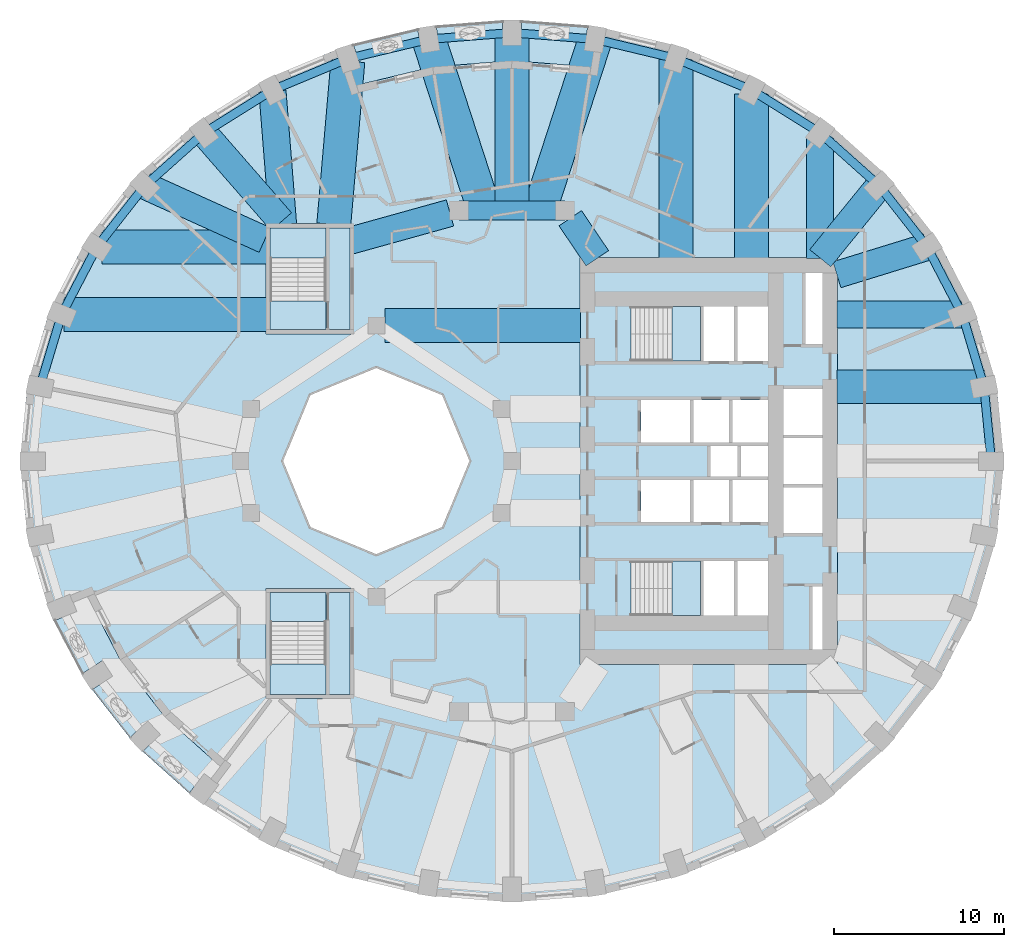
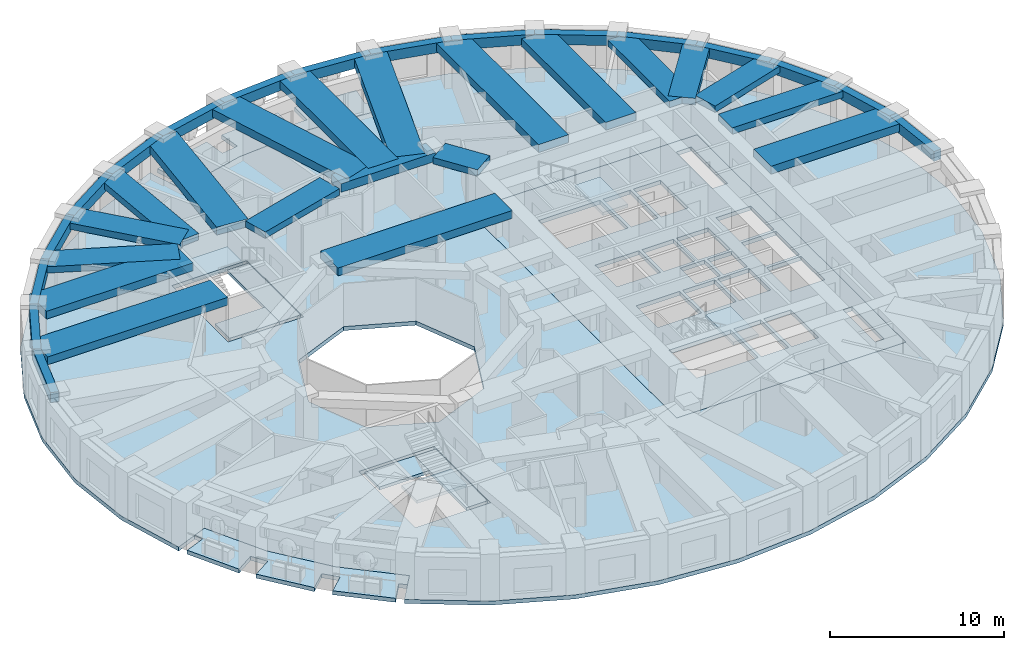
# One storey, part 2 of 13: 37 beams, 12 slabs, 4 elements without a shape of their own.
"""IFC4 building model written with IfcOpenShell, lengths in metres."""

import ifcopenshell
import ifcopenshell.guid

model = None  # the IFC model being written
_history = None  # IfcOwnerHistory: only IFC2X3 demands one
_inside = {}  # id of a spatial element -> (the spatial element, [elements in it])
_under = {}  # id of a project, library or spatial element -> (it, [spatial elements below it])
_declared = {}  # id of a project -> (the project, [libraries it declares])
_typed = {}  # id of a type object -> (the type object, [elements of that type])
_made_of = {}  # id of a material, layer set ... -> (it, [elements and type objects made of it])


def new_model(schema):
    """Start an empty IFC model of exactly this schema.

    Asked for "IFC4X3", IfcOpenShell would pick the latest addendum, in which some entities
    have other attributes; the version numbers below select the first issue.
    IFC2X3 requires an IfcOwnerHistory on every rooted entity: one is made here for all.
    """
    global model, _history
    if schema == "IFC4X3":
        model = ifcopenshell.file(schema_version=(4, 3, 0, 0))
    else:
        model = ifcopenshell.file(schema=schema)
    _inside.clear()
    _under.clear()
    _declared.clear()
    _typed.clear()
    _made_of.clear()
    _history = None
    if model.schema == "IFC2X3":
        org = make("IfcOrganization", Name="unknown")
        user = make(
            "IfcPersonAndOrganization",
            ThePerson=make("IfcPerson", FamilyName="unknown"),
            TheOrganization=org,
        )
        app = make(
            "IfcApplication",
            ApplicationDeveloper=org,
            Version="unknown",
            ApplicationFullName="unknown",
            ApplicationIdentifier="unknown",
        )
        _history = make(
            "IfcOwnerHistory",
            OwningUser=user,
            OwningApplication=app,
            ChangeAction="ADDED",
            CreationDate=0,
        )
    return model


def make(cls, **values):
    """One entity of the class cls with the attributes given. An attribute that is None is left unset."""
    return model.create_entity(
        cls, **{name: value for name, value in values.items() if value is not None}
    )


def rooted(cls, **values):
    """An entity with a GlobalId (a new one), such as an element, a storey or a relation."""
    return make(cls, GlobalId=ifcopenshell.guid.new(), OwnerHistory=_history, **values)


def si_unit(unit_type, name, prefix=None):
    """IfcSIUnit, for example si_unit("LENGTHUNIT", "METRE", prefix="MILLI")."""
    return make("IfcSIUnit", UnitType=unit_type, Prefix=prefix, Name=name)


def assignment(units):
    """IfcUnitAssignment: the units of a project."""
    return None if units is None else make("IfcUnitAssignment", Units=units)


def point(xyz):
    """IfcCartesianPoint."""
    return None if xyz is None else make("IfcCartesianPoint", Coordinates=xyz)


def direction(xyz):
    """IfcDirection."""
    return None if xyz is None else make("IfcDirection", DirectionRatios=xyz)


def frame(location, z_axis=None, x_axis=None):
    """IfcAxis2Placement3D, a coordinate frame: its origin and axes. An axis left out is left unset."""
    return make(
        "IfcAxis2Placement3D",
        Location=point(location),
        Axis=direction(z_axis),
        RefDirection=direction(x_axis),
    )


def frame_2d(location, x_axis=None):
    """IfcAxis2Placement2D, a coordinate frame in the plane: its origin and x axis."""
    return make(
        "IfcAxis2Placement2D", Location=point(location), RefDirection=direction(x_axis)
    )


def origin():
    """The frame at (0, 0, 0) with its axes left unset."""
    return frame((0.0, 0.0, 0.0))


def origin_2d():
    """The frame at (0, 0) in the plane with its x axis left unset."""
    return frame_2d((0.0, 0.0))


def place(relative_to, where):
    """IfcLocalPlacement: puts the frame where relative to a parent placement (None: the world)."""
    return make(
        "IfcLocalPlacement", PlacementRelTo=relative_to, RelativePlacement=where
    )


def context(
    kind, dimensions, precision=None, world=None, true_north=None, identifier=None
):
    """IfcGeometricRepresentationContext, for example the 3D "Model" context."""
    return make(
        "IfcGeometricRepresentationContext",
        ContextIdentifier=identifier,
        ContextType=kind,
        CoordinateSpaceDimension=dimensions,
        Precision=precision,
        WorldCoordinateSystem=world,
        TrueNorth=true_north,
    )


def subcontext(parent, identifier, kind, view, scale=None):
    """IfcGeometricRepresentationSubContext, for example "Body" below "Model"."""
    return make(
        "IfcGeometricRepresentationSubContext",
        ContextIdentifier=identifier,
        ContextType=kind,
        ParentContext=parent,
        TargetScale=scale,
        TargetView=view,
    )


def project(units=None, contexts=None):
    """IfcProject with its units and contexts."""
    return rooted(
        "IfcProject",
        Name="project",
        RepresentationContexts=contexts,
        UnitsInContext=assignment(units),
    )


def spatial(cls, under=None, at=None, **own):
    """A site, building, storey or space (cls), placed at a placement, below another one or the project."""
    s = rooted(cls, ObjectPlacement=at, **own)
    if under is not None:
        _under.setdefault(under.id(), (under, []))[1].append(s)
    return s


def polyline(points):
    """IfcPolyline through the points."""
    return make("IfcPolyline", Points=[point(p) for p in points])


def profile(cls, at=None, kind="AREA", **sizes):
    """A parametric profile (cls). Its sizes go by their IFC names, for example OverallWidth=200.0."""
    return make(cls, ProfileType=kind, Position=at, **sizes)


def rectangle(**sizes):
    """IfcRectangleProfileDef."""
    return profile("IfcRectangleProfileDef", **sizes)


def outline(outer, holes=None, kind="AREA"):
    """IfcArbitraryClosedProfileDef: a profile drawn as a closed curve; with holes, ...WithVoids."""
    if holes is None:
        return make("IfcArbitraryClosedProfileDef", ProfileType=kind, OuterCurve=outer)
    return make(
        "IfcArbitraryProfileDefWithVoids",
        ProfileType=kind,
        OuterCurve=outer,
        InnerCurves=holes,
    )


def extrude(swept, where, along, depth):
    """IfcExtrudedAreaSolid: the profile swept, set in the frame where, extruded along a direction by depth."""
    return make(
        "IfcExtrudedAreaSolid",
        SweptArea=swept,
        Position=where,
        ExtrudedDirection=direction(along),
        Depth=depth,
    )


def shape(context_of_items, identifier, shape_type, items):
    """IfcShapeRepresentation: the items that make up one representation, for example the "Body"."""
    return make(
        "IfcShapeRepresentation",
        ContextOfItems=context_of_items,
        RepresentationIdentifier=identifier,
        RepresentationType=shape_type,
        Items=items,
    )


def material(Name=None, Category=None):
    """IfcMaterial."""
    return make("IfcMaterial", Name=Name, Category=Category)


def layer(
    of_material, thickness, ventilated=None, Name=None, Category=None, Priority=None
):
    """IfcMaterialLayer: one layer of a wall or slab, of a material (None: an air gap)."""
    return make(
        "IfcMaterialLayer",
        Material=of_material,
        LayerThickness=thickness,
        IsVentilated=ventilated,
        Name=Name,
        Category=Category,
        Priority=Priority,
    )


def layer_set(layers, Name=None):
    """IfcMaterialLayerSet."""
    return make("IfcMaterialLayerSet", MaterialLayers=layers, LayerSetName=Name)


def material_profile(
    of_material, cross_section, Name=None, Category=None, Priority=None
):
    """IfcMaterialProfile: a cross section and its material."""
    return make(
        "IfcMaterialProfile",
        Name=Name,
        Material=of_material,
        Profile=cross_section,
        Priority=Priority,
        Category=Category,
    )


def profile_set(profiles, Name=None, composite=None):
    """IfcMaterialProfileSet."""
    return make(
        "IfcMaterialProfileSet",
        Name=Name,
        MaterialProfiles=profiles,
        CompositeProfile=composite,
    )


def made_of(thing, what):
    """Note that an element or type object is made of a material, layer set ...; save() writes the relation."""
    if what is not None:
        _made_of.setdefault(what.id(), (what, []))[1].append(thing)
    return thing


def type_object(cls, material=None, **own):
    """A type object (cls), such as IfcWallType, which elements share."""
    return made_of(rooted(cls, **own), material)


def element(
    cls,
    number,
    at=None,
    inside=None,
    cuts=None,
    type_object=None,
    material=None,
    context=None,
    identifier="Body",
    shape_type=None,
    held_by="IfcProductDefinitionShape",
    body=None,
    shapes=None,
    **own,
):
    """One element of the class cls, such as IfcWall. Its Tag is "e" and its number.

    at: its placement. inside: the storey or other place that contains it. cuts: it is an
    opening in that element (IfcRelVoidsElement). A single representation is given by context,
    identifier, shape_type and body (its items); several are given by shapes. held_by: the class
    of the entity that holds the representations. save() writes the other relations.
    """
    e = rooted(cls, Tag="e%d" % number, ObjectPlacement=at, **own)
    if body is not None:
        shapes = [shape(context, identifier, shape_type, body)]
    if shapes is not None:
        e.Representation = make(held_by, Representations=shapes)
    if inside is not None:
        _inside.setdefault(inside.id(), (inside, []))[1].append(e)
    if cuts is not None:
        rooted(
            "IfcRelVoidsElement", RelatingBuildingElement=cuts, RelatedOpeningElement=e
        )
    if type_object is not None:
        _typed.setdefault(type_object.id(), (type_object, []))[1].append(e)
    return made_of(e, material)


def aggregate(whole, parts):
    """IfcRelAggregates: a whole, such as a stair, and the parts it consists of."""
    return rooted("IfcRelAggregates", RelatingObject=whole, RelatedObjects=parts)


def save(model, path):
    """Write the relations noted so far, then the file.

    IfcRelAggregates (storeys below a building ...), IfcRelContainedInSpatialStructure (elements
    in a storey), IfcRelDefinesByType, IfcRelAssociatesMaterial and IfcRelDeclares: one each for
    every whole, place, type object, material and project.
    """
    for whole, parts in _under.values():
        aggregate(whole, parts)
    for where, things in _inside.values():
        rooted(
            "IfcRelContainedInSpatialStructure",
            RelatedElements=things,
            RelatingStructure=where,
        )
    for kind, things in _typed.values():
        rooted("IfcRelDefinesByType", RelatedObjects=things, RelatingType=kind)
    for what, things in _made_of.values():
        rooted("IfcRelAssociatesMaterial", RelatedObjects=things, RelatingMaterial=what)
    for by, libraries in _declared.values():
        rooted("IfcRelDeclares", RelatingContext=by, RelatedDefinitions=libraries)
    model.write(path)


model = new_model("IFC4")

# Units and contexts
model_context = context("Model", 3, precision=1e-05, world=origin(), true_north=direction((0.0, 1.0)))
body_context = subcontext(model_context, "Body", "Model", "MODEL_VIEW")
ifc_project = project(units=[si_unit("LENGTHUNIT", "METRE"), si_unit("AREAUNIT", "SQUARE_METRE"), si_unit("VOLUMEUNIT", "CUBIC_METRE"), si_unit("PLANEANGLEUNIT", "RADIAN"), si_unit("MASSUNIT", "GRAM", prefix="KILO")], contexts=[model_context])

# Site, building, storey
site_placement = place(None, origin())
site = spatial("IfcSite", under=ifc_project, at=site_placement, CompositionType="ELEMENT")
building_placement = place(site_placement, origin())
building = spatial("IfcBuilding", under=site, at=building_placement, Name="Taillehof Tower", CompositionType="ELEMENT")
storey_placement = place(building_placement, frame((0.0, 0.0, 54.699951171875)))
storey = spatial("IfcBuildingStorey", under=building, at=storey_placement, Name="L14", CompositionType="ELEMENT", Elevation=54.699951171875)

# Beams
ifc_material_1 = material(Name="Concrete C50/60", Category="concrete")
ifc_material_profile_1 = material_profile(ifc_material_1, rectangle(XDim=1.10009765625, YDim=0.60009765625, at=origin_2d()), Name="RC 1100x600")
ifc_profile_set_1 = profile_set([ifc_material_profile_1], Name="Concrete C50/60")
beam_type_1 = type_object("IfcBeamType", Name="Mid-ring beam C50/60 1100x600", PredefinedType="BEAM", material=ifc_profile_set_1)
beam_1_placement = place(storey_placement, frame((3.125732421875, 14.772216796875, 2.719970703125), z_axis=(-1.0, 0.0, 0.0), x_axis=(0.0, -1.0, 0.0)))
element("IfcBeam", 1, at=beam_1_placement, inside=storey, type_object=beam_type_1, Name="Mid-ring beam MB01", PredefinedType="BEAM", context=body_context, shape_type="SweptSolid", body=[
    extrude(rectangle(XDim=1.10009765625, YDim=0.60009765625, at=origin_2d()), origin(), (0.0, 0.0, 1.0), 6.25146484375),
])
ifc_material_2 = material(Name="Concrete C50/60", Category="concrete")
ifc_material_profile_2 = material_profile(ifc_material_2, rectangle(XDim=1.60009765625, YDim=0.449951171875, at=origin_2d()), Name="RC 1600x450")
ifc_profile_set_2 = profile_set([ifc_material_profile_2], Name="Concrete C50/60")
beam_type_2 = type_object("IfcBeamType", Name="Radial band beam C50/60 1600x450", PredefinedType="BEAM", material=ifc_profile_set_2)
beam_2_placement = place(storey_placement, frame((26.490478515625, 8.635986328125, 2.795166015625), z_axis=(-1.0, 0.0, 0.0), x_axis=(0.0, -1.0, 0.0)))
element("IfcBeam", 2, at=beam_2_placement, inside=storey, type_object=beam_type_2, Name="Radial band beam RB03", PredefinedType="BEAM", context=body_context, shape_type="SweptSolid", body=[
    extrude(rectangle(XDim=1.60009765625, YDim=0.449951171875, at=origin_2d()), origin(), (0.0, 0.0, 1.0), 7.340576171875),
])
beam_3_placement = place(storey_placement, frame((24.46533203125, 12.625, 2.795166015625), z_axis=(-0.955535654338, -0.294875589511, 0.0), x_axis=(0.294875589511, -0.955535654338, 0.0)))
element("IfcBeam", 3, at=beam_3_placement, inside=storey, type_object=beam_type_2, Name="Radial band beam RB04", PredefinedType="BEAM", context=body_context, shape_type="SweptSolid", body=[
    extrude(rectangle(XDim=1.60009765625, YDim=0.449951171875, at=origin_2d()), origin(), (0.0, 0.0, 1.0), 5.560546875),
])
beam_4_placement = place(storey_placement, frame((21.640869140625, 16.23046875, 2.795166015625), z_axis=(-0.630988373846, -0.775792286679, 0.0), x_axis=(0.775792286679, -0.630988373846, 0.0)))
element("IfcBeam", 4, at=beam_4_placement, inside=storey, type_object=beam_type_2, Name="Radial band beam RB05", PredefinedType="BEAM", context=body_context, shape_type="SweptSolid", body=[
    extrude(rectangle(XDim=1.60009765625, YDim=0.449951171875, at=origin_2d()), origin(), (0.0, 0.0, 1.0), 5.503173828125),
])
beam_5_placement = place(storey_placement, frame((18.15869140625, 19.05517578125, 2.795166015625), z_axis=(0.0, -1.0, 0.0), x_axis=(1.0, 0.0, 0.0)))
element("IfcBeam", 5, at=beam_5_placement, inside=storey, type_object=beam_type_2, Name="Radial band beam RB06", PredefinedType="BEAM", context=body_context, shape_type="SweptSolid", body=[
    extrude(rectangle(XDim=1.60009765625, YDim=0.449951171875, at=origin_2d()), origin(), (0.0, 0.0, 1.0), 7.105224609375),
])
beam_6_placement = place(storey_placement, frame((-14.119873046875, 21.802978515625, 2.795166015625), z_axis=(0.079184740988, -0.996859958467, 0.0), x_axis=(0.996859958467, 0.079184740988, 0.0)))
element("IfcBeam", 6, at=beam_6_placement, inside=storey, type_object=beam_type_2, Name="Radial band beam RB13", PredefinedType="BEAM", context=body_context, shape_type="SweptSolid", body=[
    extrude(rectangle(XDim=1.60009765625, YDim=0.449951171875, at=origin_2d()), origin(), (0.0, 0.0, 1.0), 7.87744140625),
])
beam_7_placement = place(storey_placement, frame((-18.15869140625, 19.342529296875, 2.795166015625), z_axis=(0.65721824087, -0.753700327628, 0.0), x_axis=(0.753700327628, 0.65721824087, 0.0)))
element("IfcBeam", 7, at=beam_7_placement, inside=storey, type_object=beam_type_2, Name="Radial band beam RB14", PredefinedType="BEAM", context=body_context, shape_type="SweptSolid", body=[
    extrude(rectangle(XDim=1.60009765625, YDim=0.449951171875, at=origin_2d()), origin(), (0.0, 0.0, 1.0), 6.9384765625),
])
beam_8_placement = place(storey_placement, frame((-21.632568359375, 16.226806640625, 2.795166015625), z_axis=(0.911100590789, -0.412184077161, 0.0), x_axis=(0.412184077161, 0.911100590789, 0.0)))
element("IfcBeam", 8, at=beam_8_placement, inside=storey, type_object=beam_type_2, Name="Radial band beam RB15", PredefinedType="BEAM", context=body_context, shape_type="SweptSolid", body=[
    extrude(rectangle(XDim=1.60009765625, YDim=0.449951171875, at=origin_2d()), origin(), (0.0, 0.0, 1.0), 7.740966796875),
])
beam_9_placement = place(storey_placement, frame((3.433837890625, 14.31640625, 2.795166015625), z_axis=(0.560112043398, -0.828416862962, 0.0), x_axis=(0.828416862962, 0.560112043398, 0.0)))
element("IfcBeam", 9, at=beam_9_placement, inside=storey, type_object=beam_type_2, Name="Inner band beam IB205", PredefinedType="BEAM", context=body_context, shape_type="SweptSolid", body=[
    extrude(rectangle(XDim=1.60009765625, YDim=0.449951171875, at=origin_2d()), origin(), (0.0, 0.0, 1.0), 2.84619140625),
])
beam_10_placement = place(storey_placement, frame((-3.655517578125, 14.624755859375, 2.795166015625), z_axis=(-0.963459369536, -0.267854518821, 0.0), x_axis=(0.267854518821, -0.963459369536, 0.0)))
element("IfcBeam", 10, at=beam_10_placement, inside=storey, type_object=beam_type_2, Name="Inner band beam IB206", PredefinedType="BEAM", context=body_context, shape_type="SweptSolid", body=[
    extrude(rectangle(XDim=1.60009765625, YDim=0.449951171875, at=origin_2d()), origin(), (0.0, 0.0, 1.0), 6.096923828125),
])
ifc_material_3 = material(Name="Concrete C50/60", Category="concrete")
ifc_material_profile_3 = material_profile(ifc_material_3, rectangle(XDim=2.0, YDim=0.550048828125, at=origin_2d()), Name="RC 2000x550")
ifc_profile_set_3 = profile_set([ifc_material_profile_3], Name="Concrete C50/60")
beam_type_3 = type_object("IfcBeamType", Name="Radial band beam C50/60 2000x550", PredefinedType="BEAM", material=ifc_profile_set_3)
beam_11_placement = place(storey_placement, frame((27.82080078125, 4.384521484375, 2.7451171875), z_axis=(-1.0, 0.0, 0.0), x_axis=(0.0, -1.0, 0.0)))
element("IfcBeam", 11, at=beam_11_placement, inside=storey, type_object=beam_type_3, Name="Radial band beam RB02", PredefinedType="BEAM", context=body_context, shape_type="SweptSolid", body=[
    extrude(rectangle(XDim=2.0, YDim=0.550048828125, at=origin_2d()), origin(), (0.0, 0.0, 1.0), 8.6708984375),
])
beam_12_placement = place(storey_placement, frame((14.125, 21.63232421875, 2.7451171875), z_axis=(0.0, -1.0, 0.0), x_axis=(1.0, 0.0, 0.0)))
element("IfcBeam", 12, at=beam_12_placement, inside=storey, type_object=beam_type_3, Name="Radial band beam RB07", PredefinedType="BEAM", context=body_context, shape_type="SweptSolid", body=[
    extrude(rectangle(XDim=2.0, YDim=0.550048828125, at=origin_2d()), origin(), (0.0, 0.0, 1.0), 9.682373046875),
])
beam_13_placement = place(storey_placement, frame((9.662109375, 23.664794921875, 2.7451171875), z_axis=(0.0, -1.0, 0.0), x_axis=(1.0, 0.0, 0.0)))
element("IfcBeam", 13, at=beam_13_placement, inside=storey, type_object=beam_type_3, Name="Radial band beam RB08", PredefinedType="BEAM", context=body_context, shape_type="SweptSolid", body=[
    extrude(rectangle(XDim=2.0, YDim=0.550048828125, at=origin_2d()), origin(), (0.0, 0.0, 1.0), 11.71484375),
])
beam_14_placement = place(storey_placement, frame((4.905517578125, 24.866455078125, 2.7451171875), z_axis=(-0.309014294595, -0.951057393503, 0.0), x_axis=(0.951057393503, -0.309014294595, 0.0)))
element("IfcBeam", 14, at=beam_14_placement, inside=storey, type_object=beam_type_3, Name="Radial band beam RB09", PredefinedType="BEAM", context=body_context, shape_type="SweptSolid", body=[
    extrude(rectangle(XDim=2.0, YDim=0.550048828125, at=origin_2d()), origin(), (0.0, 0.0, 1.0), 10.61376953125),
])
beam_15_placement = place(storey_placement, frame((0.0, 25.25, 2.7451171875), z_axis=(0.0, -1.0, 0.0), x_axis=(1.0, 0.0, 0.0)))
element("IfcBeam", 15, at=beam_15_placement, inside=storey, type_object=beam_type_3, Name="Radial band beam RB10", PredefinedType="BEAM", context=body_context, shape_type="SweptSolid", body=[
    extrude(rectangle(XDim=2.0, YDim=0.550048828125, at=origin_2d()), origin(), (0.0, 0.0, 1.0), 10.477783203125),
])
beam_16_placement = place(storey_placement, frame((-4.905517578125, 24.866455078125, 2.7451171875), z_axis=(0.309014294595, -0.951057393503, 0.0), x_axis=(0.951057393503, 0.309014294595, 0.0)))
element("IfcBeam", 16, at=beam_16_placement, inside=storey, type_object=beam_type_3, Name="Radial band beam RB11", PredefinedType="BEAM", context=body_context, shape_type="SweptSolid", body=[
    extrude(rectangle(XDim=2.0, YDim=0.550048828125, at=origin_2d()), origin(), (0.0, 0.0, 1.0), 10.61376953125),
])
beam_17_placement = place(storey_placement, frame((-9.675048828125, 23.575927734375, 2.7451171875), z_axis=(-0.085841202752, -0.996308831593, 0.0), x_axis=(0.996308831593, -0.085841202752, 0.0)))
element("IfcBeam", 17, at=beam_17_placement, inside=storey, type_object=beam_type_3, Name="Radial band beam RB12", PredefinedType="BEAM", context=body_context, shape_type="SweptSolid", body=[
    extrude(rectangle(XDim=2.0, YDim=0.550048828125, at=origin_2d()), origin(), (0.0, 0.0, 1.0), 9.661376953125),
])
beam_18_placement = place(storey_placement, frame((-24.172607421875, 12.625, 2.7451171875), z_axis=(1.0, 0.0, 0.0), x_axis=(0.0, 1.0, 0.0)))
element("IfcBeam", 18, at=beam_18_placement, inside=storey, type_object=beam_type_3, Name="Radial band beam RB16", PredefinedType="BEAM", context=body_context, shape_type="SweptSolid", body=[
    extrude(rectangle(XDim=2.0, YDim=0.550048828125, at=origin_2d()), origin(), (0.0, 0.0, 1.0), 9.72265625),
])
beam_19_placement = place(storey_placement, frame((-26.408935546875, 8.635986328125, 2.7451171875), z_axis=(1.0, 0.0, 0.0), x_axis=(0.0, 1.0, 0.0)))
element("IfcBeam", 19, at=beam_19_placement, inside=storey, type_object=beam_type_3, Name="Radial band beam RB17", PredefinedType="BEAM", context=body_context, shape_type="SweptSolid", body=[
    extrude(rectangle(XDim=2.0, YDim=0.550048828125, at=origin_2d()), origin(), (0.0, 0.0, 1.0), 11.958984375),
])
beam_20_placement = place(storey_placement, frame((-7.5, 8.0, 2.7451171875), z_axis=(1.0, 0.0, 0.0), x_axis=(0.0, 1.0, 0.0)))
element("IfcBeam", 20, at=beam_20_placement, inside=storey, type_object=beam_type_3, Name="Inner band beam IB105", PredefinedType="BEAM", context=body_context, shape_type="SweptSolid", body=[
    extrude(rectangle(XDim=2.0, YDim=0.550048828125, at=origin_2d()), origin(), (0.0, 0.0, 1.0), 11.550048828125),
])
ifc_material_4 = material(Name="Concrete C50/60", Category="concrete")
ifc_material_profile_4 = material_profile(ifc_material_4, rectangle(XDim=0.5, YDim=0.699951171875, at=origin_2d()), Name="RC 500x700")
ifc_profile_set_4 = profile_set([ifc_material_profile_4], Name="Concrete C50/60")
beam_type_4 = type_object("IfcBeamType", Name="Spandrel beam C50/60 500x700", PredefinedType="SPANDREL", material=ifc_profile_set_4)
beam_21_placement = place(storey_placement, frame((28.25, 0.0, 2.670166015625), z_axis=(-0.097423973567, 0.99524297002, 0.0), x_axis=(-0.99524297002, -0.097423973567, 0.0)))
element("IfcBeam", 21, at=beam_21_placement, inside=storey, type_object=beam_type_4, Name="Spandrel beam SB01", PredefinedType="SPANDREL", context=body_context, shape_type="SweptSolid", body=[
    extrude(rectangle(XDim=0.5, YDim=0.699951171875, at=origin_2d()), origin(), (0.0, 0.0, 1.0), 4.405517578125),
])
beam_22_placement = place(storey_placement, frame((27.82080078125, 4.384521484375, 2.670166015625), z_axis=(-0.287135925407, 0.957889847707, 0.0), x_axis=(-0.957889847707, -0.287135925407, 0.0)))
element("IfcBeam", 22, at=beam_22_placement, inside=storey, type_object=beam_type_4, Name="Spandrel beam SB02", PredefinedType="SPANDREL", context=body_context, shape_type="SweptSolid", body=[
    extrude(rectangle(XDim=0.5, YDim=0.699951171875, at=origin_2d()), origin(), (0.0, 0.0, 1.0), 4.4384765625),
])
beam_23_placement = place(storey_placement, frame((26.54638671875, 8.635986328125, 2.670166015625), z_axis=(-0.462536335232, 0.886600326297, 0.0), x_axis=(-0.886600326297, -0.462536335232, 0.0)))
element("IfcBeam", 23, at=beam_23_placement, inside=storey, type_object=beam_type_4, Name="Spandrel beam SB03", PredefinedType="SPANDREL", context=body_context, shape_type="SweptSolid", body=[
    extrude(rectangle(XDim=0.5, YDim=0.699951171875, at=origin_2d()), origin(), (0.0, 0.0, 1.0), 4.499267578125),
])
beam_24_placement = place(storey_placement, frame((24.46533203125, 12.625, 2.670166015625), z_axis=(-0.616686200373, 0.787209076593, 0.0), x_axis=(-0.787209076593, -0.616686200373, 0.0)))
element("IfcBeam", 24, at=beam_24_placement, inside=storey, type_object=beam_type_4, Name="Spandrel beam SB04", PredefinedType="SPANDREL", context=body_context, shape_type="SweptSolid", body=[
    extrude(rectangle(XDim=0.5, YDim=0.699951171875, at=origin_2d()), origin(), (0.0, 0.0, 1.0), 4.580078125),
])
beam_25_placement = place(storey_placement, frame((21.640869140625, 16.23046875, 2.670166015625), z_axis=(-0.745621283614, 0.666369943366, 0.0), x_axis=(-0.666369943366, -0.745621283614, 0.0)))
element("IfcBeam", 25, at=beam_25_placement, inside=storey, type_object=beam_type_4, Name="Spandrel beam SB05", PredefinedType="SPANDREL", context=body_context, shape_type="SweptSolid", body=[
    extrude(rectangle(XDim=0.5, YDim=0.699951171875, at=origin_2d()), origin(), (0.0, 0.0, 1.0), 4.670166015625),
])
beam_26_placement = place(storey_placement, frame((18.15869140625, 19.342529296875, 2.670166015625), z_axis=(-0.847658018883, 0.530543007703, 0.0), x_axis=(-0.530543007703, -0.847658018883, 0.0)))
element("IfcBeam", 26, at=beam_26_placement, inside=storey, type_object=beam_type_4, Name="Spandrel beam SB06", PredefinedType="SPANDREL", context=body_context, shape_type="SweptSolid", body=[
    extrude(rectangle(XDim=0.5, YDim=0.699951171875, at=origin_2d()), origin(), (0.0, 0.0, 1.0), 4.758544921875),
])
beam_27_placement = place(storey_placement, frame((14.125, 21.8671875, 2.670166015625), z_axis=(-0.923035088053, 0.384715773297, 0.0), x_axis=(-0.384715773297, -0.923035088053, 0.0)))
element("IfcBeam", 27, at=beam_27_placement, inside=storey, type_object=beam_type_4, Name="Spandrel beam SB07", PredefinedType="SPANDREL", context=body_context, shape_type="SweptSolid", body=[
    extrude(rectangle(XDim=0.5, YDim=0.699951171875, at=origin_2d()), origin(), (0.0, 0.0, 1.0), 4.8349609375),
])
beam_28_placement = place(storey_placement, frame((9.662109375, 23.727294921875, 2.670166015625), z_axis=(-0.9724995553, 0.232904733616, 0.0), x_axis=(-0.232904733616, -0.9724995553, 0.0)))
element("IfcBeam", 28, at=beam_28_placement, inside=storey, type_object=beam_type_4, Name="Spandrel beam SB08", PredefinedType="SPANDREL", context=body_context, shape_type="SweptSolid", body=[
    extrude(rectangle(XDim=0.5, YDim=0.699951171875, at=origin_2d()), origin(), (0.0, 0.0, 1.0), 4.89111328125),
])
for number, where, z_axis, x_axis, name in (
    (29, (4.905517578125, 24.866455078125, 2.670166015625), (-0.996957383661, 0.077948541767, 0.0), (-0.077948541767, -0.996957383661, 0.0), "Spandrel beam SB09"),
    (30, (0.0, 25.25, 2.670166015625), (-0.996957383661, -0.077948541767, 0.0), (0.077948541767, -0.996957383661, 0.0), "Spandrel beam SB10"),
):
    element("IfcBeam", number, at=place(storey_placement, frame(where, z_axis=z_axis, x_axis=x_axis)), inside=storey, type_object=beam_type_4, Name=name, PredefinedType="SPANDREL", context=body_context, shape_type="SweptSolid", body=[
        extrude(rectangle(XDim=0.5, YDim=0.699951171875, at=origin_2d()), origin(), (0.0, 0.0, 1.0), 4.92041015625),
    ])
beam_29_placement = place(storey_placement, frame((-4.905517578125, 24.866455078125, 2.670166015625), z_axis=(-0.9724995553, -0.232904733616, 0.0), x_axis=(0.232904733616, -0.9724995553, 0.0)))
element("IfcBeam", 31, at=beam_29_placement, inside=storey, type_object=beam_type_4, Name="Spandrel beam SB11", PredefinedType="SPANDREL", context=body_context, shape_type="SweptSolid", body=[
    extrude(rectangle(XDim=0.5, YDim=0.699951171875, at=origin_2d()), origin(), (0.0, 0.0, 1.0), 4.89111328125),
])
beam_30_placement = place(storey_placement, frame((-9.662109375, 23.727294921875, 2.670166015625), z_axis=(-0.923035088053, -0.384715773297, 0.0), x_axis=(0.384715773297, -0.923035088053, 0.0)))
element("IfcBeam", 32, at=beam_30_placement, inside=storey, type_object=beam_type_4, Name="Spandrel beam SB12", PredefinedType="SPANDREL", context=body_context, shape_type="SweptSolid", body=[
    extrude(rectangle(XDim=0.5, YDim=0.699951171875, at=origin_2d()), origin(), (0.0, 0.0, 1.0), 4.8349609375),
])
beam_31_placement = place(storey_placement, frame((-14.125, 21.8671875, 2.670166015625), z_axis=(-0.847658018883, -0.530543007703, 0.0), x_axis=(0.530543007703, -0.847658018883, 0.0)))
element("IfcBeam", 33, at=beam_31_placement, inside=storey, type_object=beam_type_4, Name="Spandrel beam SB13", PredefinedType="SPANDREL", context=body_context, shape_type="SweptSolid", body=[
    extrude(rectangle(XDim=0.5, YDim=0.699951171875, at=origin_2d()), origin(), (0.0, 0.0, 1.0), 4.758544921875),
])
beam_32_placement = place(storey_placement, frame((-18.15869140625, 19.342529296875, 2.670166015625), z_axis=(-0.745621283614, -0.666369943366, 0.0), x_axis=(0.666369943366, -0.745621283614, 0.0)))
element("IfcBeam", 34, at=beam_32_placement, inside=storey, type_object=beam_type_4, Name="Spandrel beam SB14", PredefinedType="SPANDREL", context=body_context, shape_type="SweptSolid", body=[
    extrude(rectangle(XDim=0.5, YDim=0.699951171875, at=origin_2d()), origin(), (0.0, 0.0, 1.0), 4.670166015625),
])
beam_33_placement = place(storey_placement, frame((-21.640869140625, 16.23046875, 2.670166015625), z_axis=(-0.616686200373, -0.787209076593, 0.0), x_axis=(0.787209076593, -0.616686200373, 0.0)))
element("IfcBeam", 35, at=beam_33_placement, inside=storey, type_object=beam_type_4, Name="Spandrel beam SB15", PredefinedType="SPANDREL", context=body_context, shape_type="SweptSolid", body=[
    extrude(rectangle(XDim=0.5, YDim=0.699951171875, at=origin_2d()), origin(), (0.0, 0.0, 1.0), 4.580078125),
])
beam_34_placement = place(storey_placement, frame((-24.46533203125, 12.625, 2.670166015625), z_axis=(-0.462536335232, -0.886600326297, 0.0), x_axis=(0.886600326297, -0.462536335232, 0.0)))
element("IfcBeam", 36, at=beam_34_placement, inside=storey, type_object=beam_type_4, Name="Spandrel beam SB16", PredefinedType="SPANDREL", context=body_context, shape_type="SweptSolid", body=[
    extrude(rectangle(XDim=0.5, YDim=0.699951171875, at=origin_2d()), origin(), (0.0, 0.0, 1.0), 4.499267578125),
])
beam_35_placement = place(storey_placement, frame((-26.54638671875, 8.635986328125, 2.670166015625), z_axis=(-0.287135925407, -0.957889847707, 0.0), x_axis=(0.957889847707, -0.287135925407, 0.0)))
element("IfcBeam", 37, at=beam_35_placement, inside=storey, type_object=beam_type_4, Name="Spandrel beam SB17", PredefinedType="SPANDREL", context=body_context, shape_type="SweptSolid", body=[
    extrude(rectangle(XDim=0.5, YDim=0.699951171875, at=origin_2d()), origin(), (0.0, 0.0, 1.0), 4.4384765625),
])

# Slabs
ifc_material_5 = material(Name="Concrete C40/50", Category="concrete")
ifc_layer_1 = layer(ifc_material_5, 0.280029296875)
ifc_layer_set_1 = layer_set([ifc_layer_1], Name="Balcony slab 280")
slab_type_1 = type_object("IfcSlabType", Name="Balcony slab 280", PredefinedType="USERDEFINED", material=ifc_layer_set_1)
slab_1_placement = place(storey_placement, frame((0.0, 0.0, -0.280029296875)))
element("IfcSlab", 38, at=slab_1_placement, inside=storey, type_object=slab_type_1, Name="Balcony L14 pocket 2", ObjectType="BALCONY", PredefinedType="USERDEFINED", context=body_context, shape_type="SweptSolid", body=[
    extrude(outline(polyline([(-9.174072265625, 22.150390625), (-9.453369140625, 23.00634765625), (-8.906494140625, 23.184814453125), (-9.357421875, 24.56689453125), (-5.559326171875, 25.479248046875), (-5.331787109375, 24.039794921875), (-4.2451171875, 24.21142578125), (-4.472412109375, 25.649169921875), (-0.550048828125, 25.956787109375), (-0.550048828125, 24.5), (0.550048828125, 24.5), (0.550048828125, 25.956787109375), (4.472412109375, 25.649169921875), (4.2451171875, 24.21142578125), (4.801513671875, 24.12353515625), (4.6611328125, 23.234375), (0.0, 23.60009765625), (-4.6611328125, 23.234375), (-9.174072265625, 22.150390625)])), origin(), (0.0, 0.0, 1.0), 0.280029296875),
])
slab_2_placement = place(storey_placement, frame((0.0, 0.0, -0.280029296875)))
element("IfcSlab", 39, at=slab_2_placement, inside=storey, type_object=slab_type_1, Name="Balcony L14 pocket 6", ObjectType="BALCONY", PredefinedType="USERDEFINED", context=body_context, shape_type="SweptSolid", body=[
    extrude(outline(polyline([(-17.197998046875, -17.999267578125), (-17.73974609375, -18.71923828125), (-18.1474609375, -18.41259765625), (-19.02197265625, -19.575439453125), (-21.77392578125, -17.108154296875), (-20.71728515625, -16.119384765625), (-21.468994140625, -15.31640625), (-22.530029296875, -16.309326171875), (-24.752197265625, -13.464111328125), (-23.536865234375, -12.681396484375), (-24.13232421875, -11.756591796875), (-25.352783203125, -12.54248046875), (-26.9833984375, -9.406982421875), (-25.64453125, -8.863525390625), (-25.86181640625, -8.328369140625), (-25.02734375, -7.98974609375), (-23.096923828125, -11.70068359375), (-20.463134765625, -15.072509765625), (-17.197998046875, -17.999267578125)])), origin(), (0.0, 0.0, 1.0), 0.280029296875),
])
ifc_material_6 = material(Name="Concrete C40/50", Category="concrete")
ifc_layer_2 = layer(ifc_material_6, 0.280029296875)
ifc_layer_set_2 = layer_set([ifc_layer_2], Name="Core floor slab C40/50 280")
slab_type_2 = type_object("IfcSlabType", Name="Core floor slab C40/50 280", PredefinedType="FLOOR", material=ifc_layer_set_2)
slab_3_placement = place(storey_placement, frame((0.0, 0.0, -0.280029296875)))
element("IfcSlab", 40, at=slab_3_placement, inside=storey, type_object=slab_type_2, Name="Core floor L14", PredefinedType="FLOOR", context=body_context, shape_type="SweptSolid", body=[
    extrude(outline(polyline([(4.0, -12.0), (4.0, 12.0), (19.199951171875, 12.0), (19.199951171875, -12.0), (4.0, -12.0)]), holes=[polyline([(7.00048828125, -9.10009765625), (11.10009765625, -9.10009765625), (11.10009765625, -5.89990234375), (7.00048828125, -5.89990234375), (7.00048828125, -9.10009765625)]), polyline([(13.10009765625, -9.10009765625), (13.10009765625, -5.89990234375), (11.300048828125, -5.89990234375), (11.300048828125, -9.10009765625), (13.10009765625, -9.10009765625)]), polyline([(10.5, -3.60009765625), (10.5, -1.10009765625), (7.60009765625, -1.10009765625), (7.60009765625, -3.60009765625), (10.5, -3.60009765625)]), polyline([(12.800048828125, -3.60009765625), (12.800048828125, -1.10009765625), (10.699951171875, -1.10009765625), (10.699951171875, -3.60009765625), (12.800048828125, -3.60009765625)]), polyline([(13.300048828125, -0.89990234375), (13.300048828125, 0.89990234375), (11.699951171875, 0.89990234375), (11.699951171875, -0.89990234375), (13.300048828125, -0.89990234375)]), polyline([(10.5, 1.10009765625), (10.5, 3.60009765625), (7.60009765625, 3.60009765625), (7.60009765625, 1.10009765625), (10.5, 1.10009765625)]), polyline([(12.800048828125, 1.10009765625), (12.800048828125, 3.60009765625), (10.699951171875, 3.60009765625), (10.699951171875, 1.10009765625), (12.800048828125, 1.10009765625)]), polyline([(13.0, 1.10009765625), (15.10009765625, 1.10009765625), (15.10009765625, 3.60009765625), (13.0, 3.60009765625), (13.0, 1.10009765625)]), polyline([(11.300048828125, 5.89990234375), (13.10009765625, 5.89990234375), (13.10009765625, 9.10009765625), (11.300048828125, 9.10009765625), (11.300048828125, 5.89990234375)]), polyline([(11.10009765625, 5.89990234375), (11.10009765625, 9.10009765625), (7.00048828125, 9.10009765625), (7.00048828125, 5.89990234375), (11.10009765625, 5.89990234375)]), polyline([(18.300048828125, -11.10009765625), (18.300048828125, -7.39990234375), (17.699951171875, -7.39990234375), (17.699951171875, -11.10009765625), (18.300048828125, -11.10009765625)]), polyline([(15.10009765625, -9.10009765625), (15.10009765625, -5.89990234375), (13.300048828125, -5.89990234375), (13.300048828125, -9.10009765625), (15.10009765625, -9.10009765625)]), polyline([(16.0, -4.25), (18.300048828125, -4.25), (18.300048828125, -1.550048828125), (16.0, -1.550048828125), (16.0, -4.25)]), polyline([(13.0, -3.60009765625), (15.10009765625, -3.60009765625), (15.10009765625, -1.10009765625), (13.0, -1.10009765625), (13.0, -3.60009765625)]), polyline([(15.10009765625, -0.89990234375), (15.10009765625, 0.89990234375), (13.5, 0.89990234375), (13.5, -0.89990234375), (15.10009765625, -0.89990234375)]), polyline([(18.300048828125, -1.35009765625), (18.300048828125, 1.35009765625), (16.0, 1.35009765625), (16.0, -1.35009765625), (18.300048828125, -1.35009765625)]), polyline([(18.300048828125, 1.550048828125), (18.300048828125, 4.25), (16.0, 4.25), (16.0, 1.550048828125), (18.300048828125, 1.550048828125)]), polyline([(13.300048828125, 5.89990234375), (15.10009765625, 5.89990234375), (15.10009765625, 9.10009765625), (13.300048828125, 9.10009765625), (13.300048828125, 5.89990234375)]), polyline([(17.300048828125, 6.89990234375), (18.300048828125, 6.89990234375), (18.300048828125, 11.10009765625), (17.300048828125, 11.10009765625), (17.300048828125, 6.89990234375)])]), origin(), (0.0, 0.0, 1.0), 0.280029296875),
])
ifc_material_7 = material(Name="Concrete C40/50", Category="concrete")
ifc_layer_3 = layer(ifc_material_7, 0.280029296875)
ifc_layer_set_3 = layer_set([ifc_layer_3], Name="Floor slab 280")
slab_type_3 = type_object("IfcSlabType", Name="Floor slab 280", PredefinedType="FLOOR", material=ifc_layer_set_3)
slab_4_placement = place(storey_placement, frame((0.0, 0.0, -0.280029296875)))
element("IfcSlab", 41, at=slab_4_placement, inside=storey, type_object=slab_type_3, Name="Floor slab L14", PredefinedType="FLOOR", context=body_context, shape_type="SweptSolid", body=[
    extrude(outline(polyline([(29.0, 0.0), (28.559326171875, 4.514892578125), (27.251220703125, 8.892578125), (25.11474609375, 13.0), (22.21533203125, 16.71240234375), (18.640869140625, 19.917236328125), (14.5, 22.5166015625), (9.918701171875, 24.431884765625), (5.035888671875, 25.60498046875), (4.660888671875, 23.234375), (0.0, 23.60009765625), (-4.660888671875, 23.234375), (-9.174072265625, 22.150390625), (-9.918701171875, 24.431884765625), (-14.5, 22.5166015625), (-18.640869140625, 19.917236328125), (-22.21533203125, 16.71240234375), (-25.11474609375, 13.0), (-27.251220703125, 8.892578125), (-28.559326171875, 4.514892578125), (-29.0, 0.0), (-28.559326171875, -4.514892578125), (-27.251220703125, -8.892578125), (-25.02734375, -7.98974609375), (-23.096923828125, -11.70068359375), (-20.462890625, -15.072509765625), (-17.197998046875, -17.999267578125), (-18.640869140625, -19.917236328125), (-14.5, -22.5166015625), (-9.918701171875, -24.431884765625), (-5.035888671875, -25.60498046875), (0.0, -26.0), (5.035888671875, -25.60498046875), (9.918701171875, -24.431884765625), (14.5, -22.5166015625), (18.640869140625, -19.917236328125), (22.21533203125, -16.71240234375), (25.11474609375, -13.0), (27.251220703125, -8.892578125), (28.559326171875, -4.514892578125), (29.0, 0.0)]), holes=[polyline([(-14.5, -7.5), (-9.5, -7.5), (-9.5, -14.0), (-14.5, -14.0), (-14.5, -7.5)]), polyline([(-8.0, -5.5), (-11.88916015625, -3.88916015625), (-13.5, 0.0), (-11.88916015625, 3.88916015625), (-8.0, 5.5), (-4.11083984375, 3.88916015625), (-2.5, 0.0), (-4.11083984375, -3.88916015625), (-8.0, -5.5)]), polyline([(19.199951171875, 12.0), (19.199951171875, -12.0), (4.0, -12.0), (4.0, 12.0), (19.199951171875, 12.0)]), polyline([(-14.5, 14.0), (-9.5, 14.0), (-9.5, 7.5), (-14.5, 7.5), (-14.5, 14.0)])]), origin(), (0.0, 0.0, 1.0), 0.280029296875),
])

# Stair, slab
ifc_material_8 = material(Name="Concrete C40/50", Category="concrete")
stair_type = type_object("IfcStairType", Name="Exit stair half-turn", PredefinedType="HALF_TURN_STAIR", material=ifc_material_8)
stair_1_placement = place(storey_placement, origin())
stair_1 = element("IfcStair", 42, at=stair_1_placement, inside=storey, type_object=stair_type, Name="Exit stair S1", PredefinedType="HALF_TURN_STAIR")
ifc_material_9 = material(Name="Concrete C40/50", Category="concrete")
ifc_layer_4 = layer(ifc_material_9, 0.2099609375)
ifc_layer_set_4 = layer_set([ifc_layer_4], Name="Stair landing C40/50 210")
slab_type_4 = type_object("IfcSlabType", Name="Stair landing C40/50 210", PredefinedType="LANDING", material=ifc_layer_set_4)
slab_5_placement = place(storey_placement, frame((0.0, 0.0, 1.43994140625)))
slab_5 = element("IfcSlab", 43, at=slab_5_placement, type_object=slab_type_4, Name="S1 landing 1", PredefinedType="LANDING", context=body_context, shape_type="SweptSolid", body=[
    extrude(outline(polyline([(9.429931640625, 5.89990234375), (11.10009765625, 5.89990234375), (11.10009765625, 9.10009765625), (9.429931640625, 9.10009765625), (9.429931640625, 5.89990234375)])), origin(), (0.0, 0.0, 1.0), 0.210205078125),
])
aggregate(stair_1, [slab_5])

stair_2_placement = place(storey_placement, origin())
stair_2 = element("IfcStair", 44, at=stair_2_placement, inside=storey, type_object=stair_type, Name="Exit stair S2", PredefinedType="HALF_TURN_STAIR")
slab_6_placement = place(storey_placement, frame((0.0, 0.0, 1.43994140625)))
slab_6 = element("IfcSlab", 45, at=slab_6_placement, type_object=slab_type_4, Name="S2 landing 1", PredefinedType="LANDING", context=body_context, shape_type="SweptSolid", body=[
    extrude(outline(polyline([(9.429931640625, -5.89990234375), (11.10009765625, -5.89990234375), (11.10009765625, -9.10009765625), (9.429931640625, -9.10009765625), (9.429931640625, -5.89990234375)])), origin(), (0.0, 0.0, 1.0), 0.210205078125),
])
aggregate(stair_2, [slab_6])

stair_3_placement = place(storey_placement, origin())
stair_3 = element("IfcStair", 46, at=stair_3_placement, inside=storey, type_object=stair_type, Name="Exit stair S3", PredefinedType="HALF_TURN_STAIR")
slab_7_placement = place(storey_placement, frame((0.0, 0.0, 1.43994140625)))
slab_7 = element("IfcSlab", 47, at=slab_7_placement, type_object=slab_type_4, Name="S3 landing 1", PredefinedType="LANDING", context=body_context, shape_type="SweptSolid", body=[
    extrude(outline(polyline([(-14.25, 11.969970703125), (-14.25, 13.75), (-10.949951171875, 13.75), (-10.949951171875, 11.969970703125), (-14.25, 11.969970703125)])), origin(), (0.0, 0.0, 1.0), 0.210205078125),
])
aggregate(stair_3, [slab_7])

stair_4_placement = place(storey_placement, origin())
stair_4 = element("IfcStair", 48, at=stair_4_placement, inside=storey, type_object=stair_type, Name="Exit stair S4", PredefinedType="HALF_TURN_STAIR")
slab_8_placement = place(storey_placement, frame((0.0, 0.0, 1.43994140625)))
slab_8 = element("IfcSlab", 49, at=slab_8_placement, type_object=slab_type_4, Name="S4 landing 1", PredefinedType="LANDING", context=body_context, shape_type="SweptSolid", body=[
    extrude(outline(polyline([(-14.25, -11.969970703125), (-14.25, -13.75), (-10.949951171875, -13.75), (-10.949951171875, -11.969970703125), (-14.25, -11.969970703125)])), origin(), (0.0, 0.0, 1.0), 0.210205078125),
])
aggregate(stair_4, [slab_8])

# Slabs
slab_9_placement = place(storey_placement, frame((0.0, 0.0, -0.2099609375)))
element("IfcSlab", 50, at=slab_9_placement, inside=storey, type_object=slab_type_4, Name="Stair S3 floor landing", PredefinedType="LANDING", context=body_context, shape_type="SweptSolid", body=[
    extrude(outline(polyline([(-14.25, 7.75), (-14.25, 9.449951171875), (-10.949951171875, 9.449951171875), (-10.949951171875, 7.75), (-14.25, 7.75)])), origin(), (0.0, 0.0, 1.0), 0.2099609375),
])
slab_10_placement = place(storey_placement, frame((0.0, 0.0, -0.2099609375)))
element("IfcSlab", 51, at=slab_10_placement, inside=storey, type_object=slab_type_4, Name="Stair lobby S3 floor", PredefinedType="LANDING", context=body_context, shape_type="SweptSolid", body=[
    extrude(outline(polyline([(-10.949951171875, 7.75), (-9.550048828125, 7.75), (-9.550048828125, 13.75), (-10.949951171875, 13.75), (-10.949951171875, 7.75)])), origin(), (0.0, 0.0, 1.0), 0.2099609375),
])
slab_11_placement = place(storey_placement, frame((0.0, 0.0, -0.2099609375)))
element("IfcSlab", 52, at=slab_11_placement, inside=storey, type_object=slab_type_4, Name="Stair S4 floor landing", PredefinedType="LANDING", context=body_context, shape_type="SweptSolid", body=[
    extrude(outline(polyline([(-14.25, -7.75), (-14.25, -9.449951171875), (-10.949951171875, -9.449951171875), (-10.949951171875, -7.75), (-14.25, -7.75)])), origin(), (0.0, 0.0, 1.0), 0.2099609375),
])
slab_12_placement = place(storey_placement, frame((0.0, 0.0, -0.2099609375)))
element("IfcSlab", 53, at=slab_12_placement, inside=storey, type_object=slab_type_4, Name="Stair lobby S4 floor", PredefinedType="LANDING", context=body_context, shape_type="SweptSolid", body=[
    extrude(outline(polyline([(-10.949951171875, -13.75), (-9.550048828125, -13.75), (-9.550048828125, -7.75), (-10.949951171875, -7.75), (-10.949951171875, -13.75)])), origin(), (0.0, 0.0, 1.0), 0.2099609375),
])

save(model, "model.ifc")
